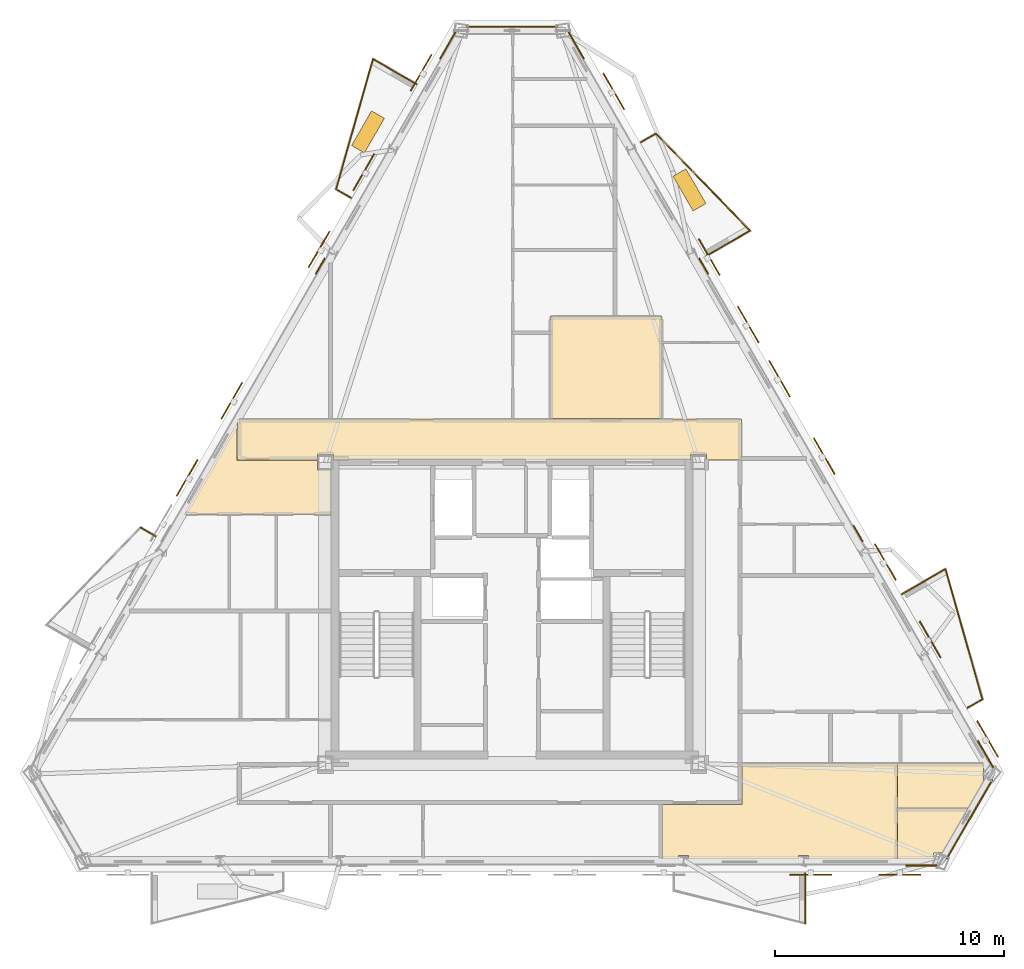
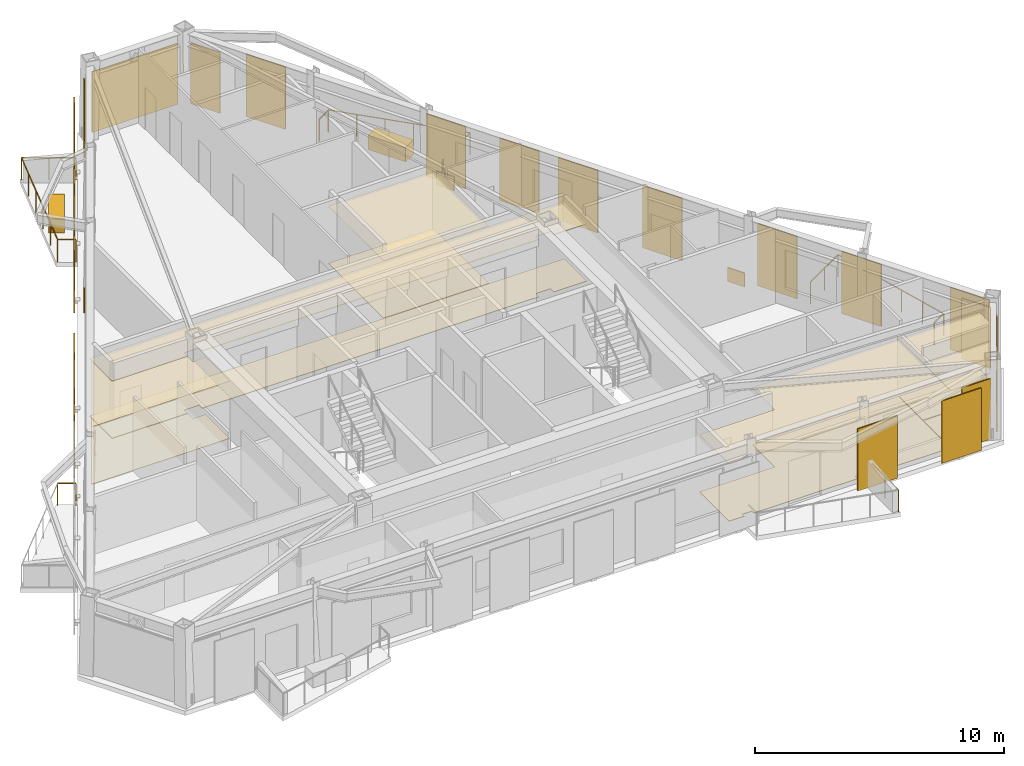
# One storey, part 9 of 9: 23 coverings, 15 shading devices, 11 railings.
"""IFC4 building model written with IfcOpenShell, lengths in metres."""

from ifc_helpers import new_model, si_unit, direction, frame, origin, origin_2d, place, context, subcontext, project, spatial, polyline, rectangle, circle, outline, extrude, material, layer, layer_set, type_object, element, save


model = new_model("IFC4")

# Units and contexts
model_context = context("Model", 3, precision=1e-05, world=origin(), true_north=direction((0.0, 1.0)))
body_context = subcontext(model_context, "Body", "Model", "MODEL_VIEW")
ifc_project = project(units=[si_unit("LENGTHUNIT", "METRE"), si_unit("AREAUNIT", "SQUARE_METRE"), si_unit("VOLUMEUNIT", "CUBIC_METRE"), si_unit("PLANEANGLEUNIT", "RADIAN"), si_unit("MASSUNIT", "GRAM", prefix="KILO")], contexts=[model_context])

# Site, building, storey
site_placement = place(None, origin())
site = spatial("IfcSite", under=ifc_project, at=site_placement, CompositionType="ELEMENT")
building_placement = place(site_placement, origin())
building = spatial("IfcBuilding", under=site, at=building_placement, Name="Oramaril Tower", CompositionType="ELEMENT")
storey_placement = place(building_placement, frame((0.0, 0.0, 281.10009765625)))
storey = spatial("IfcBuildingStorey", under=building, at=storey_placement, Name="L74", CompositionType="ELEMENT", Elevation=281.10009765625)

# Coverings
ifc_material_1 = material(Name="Mineral Fibre Acoustic Ceiling")
ifc_layer_1 = layer(ifc_material_1, 0.02001953125)
ifc_layer_set_1 = layer_set([ifc_layer_1], Name="CVT-CEIL")
covering_type_1 = type_object("IfcCoveringType", Name="CVT-CEIL", PredefinedType="CEILING", material=ifc_layer_set_1)
covering_1_placement = place(storey_placement, frame((0.0, 0.0, 2.81201171875)))
element("IfcCovering", 1, at=covering_1_placement, inside=storey, type_object=covering_type_1, Name="L74 Acoustic Suspended Ceiling 2", PredefinedType="CEILING", context=body_context, shape_type="SweptSolid", body=[
    extrude(outline(polyline([(45.9951171875, 24.239990234375), (45.9951171875, 24.4951171875), (45.304931640625, 24.4951171875), (45.304931640625, 24.25), (29.695068359375, 24.25), (29.695068359375, 24.4951171875), (29.0048828125, 24.4951171875), (29.0048828125, 24.239990234375), (25.52001953125, 24.239990234375), (25.522705078125, 26.050048828125), (47.530029296875, 26.050048828125), (47.530029296875, 24.239990234375), (45.9951171875, 24.239990234375)])), origin(), (0.0, 0.0, 1.0), 0.019775390625),
])
covering_2_placement = place(storey_placement, frame((0.0, 0.0, 2.81201171875)))
element("IfcCovering", 2, at=covering_2_placement, inside=storey, type_object=covering_type_1, Name="L74 Acoustic Suspended Ceiling 4", PredefinedType="CEILING", context=body_context, shape_type="SweptSolid", body=[
    extrude(outline(polyline([(44.0419921875, 30.511962890625), (44.0419921875, 26.070068359375), (39.157958984375, 26.070068359375), (39.157958984375, 30.511962890625), (44.0419921875, 30.511962890625)])), origin(), (0.0, 0.0, 1.0), 0.019775390625),
])
covering_3_placement = place(storey_placement, frame((0.0, 0.0, 2.81201171875)))
element("IfcCovering", 3, at=covering_3_placement, inside=storey, type_object=covering_type_1, Name="L74 Acoustic Suspended Ceiling 7", PredefinedType="CEILING", context=body_context, shape_type="SweptSolid", body=[
    extrude(outline(polyline([(54.32373046875, 10.991943359375), (54.32373046875, 6.819580078125), (50.449951171875, 6.819580078125), (50.449951171875, 6.976318359375), (50.021484375, 6.976318359375), (50.021484375, 6.819580078125), (45.20263671875, 6.819580078125), (45.20263671875, 6.976318359375), (44.780517578125, 6.976318359375), (44.780517578125, 6.819580078125), (44.06201171875, 6.819580078125), (44.06201171875, 9.199951171875), (47.530029296875, 9.199951171875), (47.531982421875, 9.2001953125), (47.533935546875, 9.200439453125), (47.535888671875, 9.200927734375), (47.53759765625, 9.201416015625), (47.539306640625, 9.202392578125), (47.541015625, 9.203369140625), (47.542724609375, 9.20458984375), (47.544189453125, 9.205810546875), (47.54541015625, 9.207275390625), (47.546630859375, 9.208984375), (47.547607421875, 9.210693359375), (47.548583984375, 9.21240234375), (47.549072265625, 9.214111328125), (47.549560546875, 9.216064453125), (47.5498046875, 9.218017578125), (47.550048828125, 9.219970703125), (47.550048828125, 10.991943359375), (54.32373046875, 10.991943359375)])), origin(), (0.0, 0.0, 1.0), 0.019775390625),
])
covering_4_placement = place(storey_placement, frame((0.0, 0.0, 2.81201171875)))
element("IfcCovering", 4, at=covering_4_placement, inside=storey, type_object=covering_type_1, Name="L74 Acoustic Suspended Ceiling 8", PredefinedType="CEILING", context=body_context, shape_type="SweptSolid", body=[
    extrude(outline(polyline([(56.311279296875, 7.089599609375), (55.897705078125, 7.089599609375), (55.897705078125, 6.819580078125), (54.34375, 6.819580078125), (54.34375, 9.03076171875), (57.431884765625, 9.03076171875), (56.311279296875, 7.089599609375)])), origin(), (0.0, 0.0, 1.0), 0.019775390625),
])
covering_5_placement = place(storey_placement, frame((0.0, 0.0, 2.81201171875)))
element("IfcCovering", 5, at=covering_5_placement, inside=storey, type_object=covering_type_1, Name="L74 Acoustic Suspended Ceiling 9", PredefinedType="CEILING", context=body_context, shape_type="SweptSolid", body=[
    extrude(outline(polyline([(58.14404296875, 10.904296875), (58.094482421875, 10.904296875), (58.094482421875, 10.215576171875), (58.115966796875, 10.215576171875), (57.44189453125, 9.048095703125), (57.44140625, 9.04833984375), (57.439697265625, 9.04931640625), (57.43798828125, 9.0498046875), (57.435791015625, 9.05029296875), (57.43408203125, 9.05078125), (57.431884765625, 9.05078125), (54.34375, 9.05078125), (54.34375, 10.991943359375), (58.093505859375, 10.991943359375), (58.14404296875, 10.904296875)])), origin(), (0.0, 0.0, 1.0), 0.019775390625),
])
covering_6_placement = place(storey_placement, frame((0.0, 0.0, 2.81201171875)))
element("IfcCovering", 6, at=covering_6_placement, inside=storey, type_object=covering_type_1, Name="L74 Acoustic Suspended Ceiling 14", PredefinedType="CEILING", context=body_context, shape_type="SweptSolid", body=[
    extrude(outline(polyline([(29.0048828125, 23.804931640625), (29.60009765625, 23.804931640625), (29.60009765625, 21.866455078125), (23.18505859375, 21.866455078125), (25.502685546875, 25.880615234375), (25.5, 24.239990234375), (25.5, 24.238037109375), (25.500244140625, 24.236083984375), (25.500732421875, 24.234130859375), (25.50146484375, 24.232421875), (25.502197265625, 24.230712890625), (25.503173828125, 24.22900390625), (25.50439453125, 24.227294921875), (25.505615234375, 24.225830078125), (25.507080078125, 24.224609375), (25.5087890625, 24.223388671875), (25.510498046875, 24.222412109375), (25.51220703125, 24.221435546875), (25.51416015625, 24.220947265625), (25.51611328125, 24.220458984375), (25.517822265625, 24.22021484375), (25.52001953125, 24.219970703125), (29.0048828125, 24.219970703125), (29.0048828125, 23.804931640625)])), origin(), (0.0, 0.0, 1.0), 0.019775390625),
])
ifc_material_2 = material(Name="Warm Cream Limestone", Category="masonry")
ifc_layer_2 = layer(ifc_material_2, 0.050048828125)
ifc_layer_set_2 = layer_set([ifc_layer_2], Name="CVT-CLD")
covering_type_2 = type_object("IfcCoveringType", Name="CVT-CLD", PredefinedType="CLADDING", material=ifc_layer_set_2)
covering_7_placement = place(storey_placement, frame((55.36767578125, 6.543701171875, 0.039794921875), z_axis=(0.0, 0.0, 1.0), x_axis=(1.0, 0.0, 0.0)))
element("IfcCovering", 7, at=covering_7_placement, inside=storey, type_object=covering_type_2, Name="L74 Warm Cream Limestone Cladding", PredefinedType="CLADDING", context=body_context, shape_type="SweptSolid", body=[
    extrude(rectangle(XDim=1.35009765625, YDim=0.050048828125, at=origin_2d()), origin(), (0.0, 0.0, 1.0), 2.97802734375),
])
covering_8_placement = place(storey_placement, frame((57.481201171875, 8.56396484375, 0.039794921875), z_axis=(0.0, 0.0, 1.0), x_axis=(0.499992442484, 0.866029767075, 0.0)))
element("IfcCovering", 8, at=covering_8_placement, inside=storey, type_object=covering_type_2, Name="L74 Warm Cream Limestone Cladding", PredefinedType="CLADDING", context=body_context, shape_type="SweptSolid", body=[
    extrude(rectangle(XDim=3.9716796875, YDim=0.050048828125, at=origin_2d()), origin(), (0.0, 0.0, 1.0), 2.97802734375),
])
for number, where, z_axis, x_axis, name in (
    (9, (58.174072265625, 11.404296875, 0.039794921875), (0.0, 0.0, 1.0), (-0.5, 0.866025403784, 0.0), "L74 Warm Cream Limestone Cladding"),
    (10, (40.306396484375, 42.35205078125, 0.039794921875), (0.0, 0.0, 1.0), (-0.5, 0.866025403784, 0.0), "L74 Warm Cream Limestone Cladding"),
):
    element("IfcCovering", number, at=place(storey_placement, frame(where, z_axis=z_axis, x_axis=x_axis)), inside=storey, type_object=covering_type_2, Name=name, PredefinedType="CLADDING", context=body_context, shape_type="SweptSolid", body=[
        extrude(rectangle(XDim=1.35009765625, YDim=0.050048828125, at=origin_2d()), origin(), (0.0, 0.0, 1.0), 2.97802734375),
    ])
for number, where, z_axis, x_axis, name in (
    (11, (52.609375, 21.04248046875, 0.0400390625), (0.0, 0.0, 1.0), (-0.5, 0.866025403784, 0.0), "L74 Warm Cream Limestone Spandrel Cladding"),
    (12, (45.87109375, 32.7138671875, 0.0400390625), (0.0, 0.0, 1.0), (-0.5, 0.866025403784, 0.0), "L74 Warm Cream Limestone Spandrel Cladding"),
):
    element("IfcCovering", number, at=place(storey_placement, frame(where, z_axis=z_axis, x_axis=x_axis)), inside=storey, type_object=covering_type_2, Name=name, PredefinedType="CLADDING", context=body_context, shape_type="SweptSolid", body=[
        extrude(rectangle(XDim=0.800048828125, YDim=0.050048828125, at=origin_2d()), origin(), (0.0, 0.0, 1.0), 0.679931640625),
    ])
covering_9_placement = place(storey_placement, frame((37.5, 43.172119140625, 0.039794921875), z_axis=(0.0, 0.0, 1.0), x_axis=(-1.0, 0.0, 0.0)))
element("IfcCovering", 13, at=covering_9_placement, inside=storey, type_object=covering_type_2, Name="L74 Warm Cream Limestone Cladding", PredefinedType="CLADDING", context=body_context, shape_type="SweptSolid", body=[
    extrude(rectangle(XDim=3.9716796875, YDim=0.050048828125, at=origin_2d()), origin(), (0.0, 0.0, 1.0), 2.97802734375),
])
covering_10_placement = place(storey_placement, frame((34.693603515625, 42.35205078125, 0.039794921875), z_axis=(0.0, 0.0, 1.0), x_axis=(-0.5, -0.866025403784, 0.0)))
element("IfcCovering", 14, at=covering_10_placement, inside=storey, type_object=covering_type_2, Name="L74 Warm Cream Limestone Cladding", PredefinedType="CLADDING", context=body_context, shape_type="SweptSolid", body=[
    extrude(rectangle(XDim=1.35009765625, YDim=0.050048828125, at=origin_2d()), origin(), (0.0, 0.0, 1.0), 2.97802734375),
])
covering_11_placement = place(storey_placement, frame((29.12890625, 32.7138671875, 0.0400390625), z_axis=(0.0, 0.0, 1.0), x_axis=(-0.5, -0.866025403784, 0.0)))
element("IfcCovering", 15, at=covering_11_placement, inside=storey, type_object=covering_type_2, Name="L74 Warm Cream Limestone Spandrel Cladding", PredefinedType="CLADDING", context=body_context, shape_type="SweptSolid", body=[
    extrude(rectangle(XDim=0.800048828125, YDim=0.050048828125, at=origin_2d()), origin(), (0.0, 0.0, 1.0), 0.679931640625),
])
for number, where, z_axis, x_axis, name in (
    (16, (45.2509765625, 36.044921875, 0.0), (0.0, 0.0, 1.0), (-0.5, 0.866025403784, 0.0), "L74 Structural Tree Planter Box L74-BAL-NE2"),
    (17, (31.211669921875, 38.577880859375, 0.0), (0.0, 0.0, 1.0), (-0.5, -0.866025403784, 0.0), "L74 Structural Tree Planter Box L74-BAL-NW1"),
):
    element("IfcCovering", number, at=place(storey_placement, frame(where, z_axis=z_axis, x_axis=x_axis)), inside=storey, type_object=covering_type_2, Name=name, PredefinedType="CLADDING", context=body_context, shape_type="SweptSolid", body=[
        extrude(rectangle(XDim=1.75, YDim=0.64990234375, at=origin_2d()), origin(), (0.0, 0.0, 1.0), 0.699951171875),
    ])
ifc_material_3 = material(Name="Honed Quartzite Stone Flooring", Category="masonry")
ifc_layer_3 = layer(ifc_material_3, 0.02490234375)
ifc_layer_set_3 = layer_set([ifc_layer_3], Name="CVT-FLR")
covering_type_3 = type_object("IfcCoveringType", Name="CVT-FLR", PredefinedType="FLOORING", material=ifc_layer_set_3)
covering_12_placement = place(storey_placement, origin())
element("IfcCovering", 18, at=covering_12_placement, inside=storey, type_object=covering_type_3, Name="L74 Honed Stone Floor Finish 2", PredefinedType="FLOORING", context=body_context, shape_type="SweptSolid", body=[
    extrude(outline(polyline([(45.9951171875, 24.239990234375), (45.9951171875, 24.4951171875), (45.304931640625, 24.4951171875), (45.304931640625, 24.25), (29.695068359375, 24.25), (29.695068359375, 24.4951171875), (29.0048828125, 24.4951171875), (29.0048828125, 24.239990234375), (25.52001953125, 24.239990234375), (25.522705078125, 26.050048828125), (47.530029296875, 26.050048828125), (47.530029296875, 24.239990234375), (45.9951171875, 24.239990234375)])), origin(), (0.0, 0.0, 1.0), 0.02490234375),
])
covering_13_placement = place(storey_placement, origin())
element("IfcCovering", 19, at=covering_13_placement, inside=storey, type_object=covering_type_3, Name="L74 Honed Stone Floor Finish 4", PredefinedType="FLOORING", context=body_context, shape_type="SweptSolid", body=[
    extrude(outline(polyline([(44.0419921875, 30.511962890625), (44.0419921875, 26.070068359375), (39.157958984375, 26.070068359375), (39.157958984375, 30.511962890625), (44.0419921875, 30.511962890625)])), origin(), (0.0, 0.0, 1.0), 0.02490234375),
])
covering_14_placement = place(storey_placement, origin())
element("IfcCovering", 20, at=covering_14_placement, inside=storey, type_object=covering_type_3, Name="L74 Honed Stone Floor Finish 7", PredefinedType="FLOORING", context=body_context, shape_type="SweptSolid", body=[
    extrude(outline(polyline([(54.32373046875, 10.991943359375), (54.32373046875, 6.819580078125), (50.449951171875, 6.819580078125), (50.449951171875, 6.976318359375), (50.021484375, 6.976318359375), (50.021484375, 6.819580078125), (45.20263671875, 6.819580078125), (45.20263671875, 6.976318359375), (44.780517578125, 6.976318359375), (44.780517578125, 6.819580078125), (44.06201171875, 6.819580078125), (44.06201171875, 9.199951171875), (47.530029296875, 9.199951171875), (47.531982421875, 9.2001953125), (47.533935546875, 9.200439453125), (47.535888671875, 9.200927734375), (47.53759765625, 9.201416015625), (47.539306640625, 9.202392578125), (47.541015625, 9.203369140625), (47.542724609375, 9.20458984375), (47.544189453125, 9.205810546875), (47.54541015625, 9.207275390625), (47.546630859375, 9.208984375), (47.547607421875, 9.210693359375), (47.548583984375, 9.21240234375), (47.549072265625, 9.214111328125), (47.549560546875, 9.216064453125), (47.5498046875, 9.218017578125), (47.550048828125, 9.219970703125), (47.550048828125, 10.991943359375), (54.32373046875, 10.991943359375)])), origin(), (0.0, 0.0, 1.0), 0.02490234375),
])
covering_15_placement = place(storey_placement, origin())
element("IfcCovering", 21, at=covering_15_placement, inside=storey, type_object=covering_type_3, Name="L74 Honed Stone Floor Finish 8", PredefinedType="FLOORING", context=body_context, shape_type="SweptSolid", body=[
    extrude(outline(polyline([(56.311279296875, 7.089599609375), (55.897705078125, 7.089599609375), (55.897705078125, 6.819580078125), (54.34375, 6.819580078125), (54.34375, 9.03076171875), (57.431884765625, 9.03076171875), (56.311279296875, 7.089599609375)])), origin(), (0.0, 0.0, 1.0), 0.02490234375),
])
covering_16_placement = place(storey_placement, origin())
element("IfcCovering", 22, at=covering_16_placement, inside=storey, type_object=covering_type_3, Name="L74 Honed Stone Floor Finish 9", PredefinedType="FLOORING", context=body_context, shape_type="SweptSolid", body=[
    extrude(outline(polyline([(58.14404296875, 10.904296875), (58.094482421875, 10.904296875), (58.094482421875, 10.215576171875), (58.115966796875, 10.215576171875), (57.44189453125, 9.048095703125), (57.44140625, 9.04833984375), (57.439697265625, 9.04931640625), (57.43798828125, 9.0498046875), (57.435791015625, 9.05029296875), (57.43408203125, 9.05078125), (57.431884765625, 9.05078125), (54.34375, 9.05078125), (54.34375, 10.991943359375), (58.093505859375, 10.991943359375), (58.14404296875, 10.904296875)])), origin(), (0.0, 0.0, 1.0), 0.02490234375),
])
covering_17_placement = place(storey_placement, origin())
element("IfcCovering", 23, at=covering_17_placement, inside=storey, type_object=covering_type_3, Name="L74 Honed Stone Floor Finish 14", PredefinedType="FLOORING", context=body_context, shape_type="SweptSolid", body=[
    extrude(outline(polyline([(29.0048828125, 23.804931640625), (29.60009765625, 23.804931640625), (29.60009765625, 21.866455078125), (23.18505859375, 21.866455078125), (25.502685546875, 25.880615234375), (25.5, 24.239990234375), (25.5, 24.238037109375), (25.500244140625, 24.236083984375), (25.500732421875, 24.234130859375), (25.50146484375, 24.232421875), (25.502197265625, 24.230712890625), (25.503173828125, 24.22900390625), (25.50439453125, 24.227294921875), (25.505615234375, 24.225830078125), (25.507080078125, 24.224609375), (25.5087890625, 24.223388671875), (25.510498046875, 24.222412109375), (25.51220703125, 24.221435546875), (25.51416015625, 24.220947265625), (25.51611328125, 24.220458984375), (25.517822265625, 24.22021484375), (25.52001953125, 24.219970703125), (29.0048828125, 24.219970703125), (29.0048828125, 23.804931640625)])), origin(), (0.0, 0.0, 1.0), 0.02490234375),
])

# Railings
ifc_material_4 = material(Name="Stainless Steel 316L", Category="steel")
railing_type = type_object("IfcRailingType", Name="RLT-GRD", PredefinedType="GUARDRAIL", material=ifc_material_4)
railing_1_placement = place(storey_placement, frame((50.29833984375, 6.20361328125, 0.0)))
element("IfcRailing", 24, at=railing_1_placement, inside=storey, type_object=railing_type, Name="L74 Balcony Guardrail L74-BAL-S2.1", PredefinedType="GUARDRAIL", context=body_context, shape_type="SweptSolid", body=[
    extrude(circle(Radius=0.02392578125, at=origin_2d()), frame((0.0, 0.0, 1.076171875), z_axis=(0.0, -1.0, 0.0), x_axis=(1.0, 0.0, 0.0)), (0.0, 0.0, 1.0), 2.19189453125),
    extrude(circle(Radius=0.02099609375, at=origin_2d()), origin(), (0.0, 0.0, 1.0), 1.052001953125),
    extrude(circle(Radius=0.02099609375, at=origin_2d()), frame((0.0, -1.095947265625, 0.0)), (0.0, 0.0, 1.0), 1.052001953125),
    extrude(circle(Radius=0.02099609375, at=origin_2d()), frame((0.0, -2.19189453125, 0.0)), (0.0, 0.0, 1.0), 1.052001953125),
])
railing_2_placement = place(storey_placement, frame((54.53125, 18.393798828125, 0.0)))
element("IfcRailing", 25, at=railing_2_placement, inside=storey, type_object=railing_type, Name="L74 Balcony Guardrail L74-BAL-NE1.1", PredefinedType="GUARDRAIL", context=body_context, shape_type="SweptSolid", body=[
    extrude(circle(Radius=0.02392578125, at=origin_2d()), frame((0.0, 0.0, 1.076171875), z_axis=(0.866048343933, 0.499960264392, 0.0), x_axis=(-0.499960264392, 0.866048343933, 0.0)), (0.0, 0.0, 1.0), 2.192138671875),
    extrude(circle(Radius=0.02099609375, at=origin_2d()), origin(), (0.0, 0.0, 1.0), 1.052001953125),
    extrude(circle(Radius=0.02099609375, at=origin_2d()), frame((0.94921875, 0.5478515625, 0.0)), (0.0, 0.0, 1.0), 1.052001953125),
    extrude(circle(Radius=0.02099609375, at=origin_2d()), frame((1.8984375, 1.095947265625, 0.0)), (0.0, 0.0, 1.0), 1.052001953125),
])
railing_3_placement = place(storey_placement, frame((56.4296875, 19.48974609375, 0.0)))
element("IfcRailing", 26, at=railing_3_placement, inside=storey, type_object=railing_type, Name="L74 Balcony Guardrail L74-BAL-NE1.2", PredefinedType="GUARDRAIL", context=body_context, shape_type="SweptSolid", body=[
    extrude(circle(Radius=0.02392578125, at=origin_2d()), frame((0.0, 0.0, 1.076171875), z_axis=(0.27224886544, -0.962226873074, 0.0), x_axis=(0.962226873074, 0.27224886544, 0.0)), (0.0, 0.0, 1.0), 5.910400390625),
    extrude(circle(Radius=0.02099609375, at=origin_2d()), origin(), (0.0, 0.0, 1.0), 1.052001953125),
    extrude(circle(Radius=0.02099609375, at=origin_2d()), frame((0.32177734375, -1.137451171875, 0.0)), (0.0, 0.0, 1.0), 1.052001953125),
    extrude(circle(Radius=0.02099609375, at=origin_2d()), frame((0.6435546875, -2.27490234375, 0.0)), (0.0, 0.0, 1.0), 1.052001953125),
    extrude(circle(Radius=0.02099609375, at=origin_2d()), frame((0.965576171875, -3.412353515625, 0.0)), (0.0, 0.0, 1.0), 1.052001953125),
    extrude(circle(Radius=0.02099609375, at=origin_2d()), frame((1.287353515625, -4.5498046875, 0.0)), (0.0, 0.0, 1.0), 1.052001953125),
    extrude(circle(Radius=0.02099609375, at=origin_2d()), frame((1.609130859375, -5.687255859375, 0.0)), (0.0, 0.0, 1.0), 1.052001953125),
])
railing_4_placement = place(storey_placement, frame((58.038818359375, 13.802490234375, 0.0)))
element("IfcRailing", 27, at=railing_4_placement, inside=storey, type_object=railing_type, Name="L74 Balcony Guardrail L74-BAL-NE1.3", PredefinedType="GUARDRAIL", context=body_context, shape_type="SweptSolid", body=[
    extrude(circle(Radius=0.02392578125, at=origin_2d()), frame((0.0, 0.0, 1.076171875), z_axis=(-0.865966403178, -0.500102178127, 0.0), x_axis=(0.500102178127, -0.865966403178, 0.0)), (0.0, 0.0, 1.0), 0.741943359375),
    extrude(circle(Radius=0.02099609375, at=origin_2d()), origin(), (0.0, 0.0, 1.0), 1.052001953125),
    extrude(circle(Radius=0.02099609375, at=origin_2d()), frame((-0.642578125, -0.37109375, 0.0)), (0.0, 0.0, 1.0), 1.052001953125),
])
railing_5_placement = place(storey_placement, frame((43.135498046875, 38.1318359375, 0.0)))
element("IfcRailing", 28, at=railing_5_placement, inside=storey, type_object=railing_type, Name="L74 Balcony Guardrail L74-BAL-NE2.1", PredefinedType="GUARDRAIL", context=body_context, shape_type="SweptSolid", body=[
    extrude(circle(Radius=0.02392578125, at=origin_2d()), frame((0.0, 0.0, 1.076171875), z_axis=(0.866108878364, 0.499855389907, 0.0), x_axis=(-0.499855389907, 0.866108878364, 0.0)), (0.0, 0.0, 1.0), 0.741943359375),
    extrude(circle(Radius=0.02099609375, at=origin_2d()), origin(), (0.0, 0.0, 1.0), 1.052001953125),
    extrude(circle(Radius=0.02099609375, at=origin_2d()), frame((0.642578125, 0.370849609375, 0.0)), (0.0, 0.0, 1.0), 1.052001953125),
])
railing_6_placement = place(storey_placement, frame((43.778076171875, 38.502685546875, 0.0)))
element("IfcRailing", 29, at=railing_6_placement, inside=storey, type_object=railing_type, Name="L74 Balcony Guardrail L74-BAL-NE2.2", PredefinedType="GUARDRAIL", context=body_context, shape_type="SweptSolid", body=[
    extrude(circle(Radius=0.02392578125, at=origin_2d()), frame((0.0, 0.0, 1.076171875), z_axis=(0.697165686546, -0.716910040034, 0.0), x_axis=(0.716910040034, 0.697165686546, 0.0)), (0.0, 0.0, 1.0), 5.910400390625),
    extrude(circle(Radius=0.02099609375, at=origin_2d()), origin(), (0.0, 0.0, 1.0), 1.052001953125),
    extrude(circle(Radius=0.02099609375, at=origin_2d()), frame((0.82421875, -0.847412109375, 0.0)), (0.0, 0.0, 1.0), 1.052001953125),
    extrude(circle(Radius=0.02099609375, at=origin_2d()), frame((1.648193359375, -1.69482421875, 0.0)), (0.0, 0.0, 1.0), 1.052001953125),
    extrude(circle(Radius=0.02099609375, at=origin_2d()), frame((2.472412109375, -2.54248046875, 0.0)), (0.0, 0.0, 1.0), 1.052001953125),
    extrude(circle(Radius=0.02099609375, at=origin_2d()), frame((3.29638671875, -3.389892578125, 0.0)), (0.0, 0.0, 1.0), 1.052001953125),
    extrude(circle(Radius=0.02099609375, at=origin_2d()), frame((4.12060546875, -4.2373046875, 0.0)), (0.0, 0.0, 1.0), 1.052001953125),
])
railing_7_placement = place(storey_placement, frame((47.898681640625, 34.265380859375, 0.0)))
element("IfcRailing", 30, at=railing_7_placement, inside=storey, type_object=railing_type, Name="L74 Balcony Guardrail L74-BAL-NE2.3", PredefinedType="GUARDRAIL", context=body_context, shape_type="SweptSolid", body=[
    extrude(circle(Radius=0.02392578125, at=origin_2d()), frame((0.0, 0.0, 1.076171875), z_axis=(-0.866020500697, -0.5000084923, 0.0), x_axis=(0.5000084923, -0.866020500697, 0.0)), (0.0, 0.0, 1.0), 2.19189453125),
    extrude(circle(Radius=0.02099609375, at=origin_2d()), origin(), (0.0, 0.0, 1.0), 1.052001953125),
    extrude(circle(Radius=0.02099609375, at=origin_2d()), frame((-0.94921875, -0.5478515625, 0.0)), (0.0, 0.0, 1.0), 1.052001953125),
    extrude(circle(Radius=0.02099609375, at=origin_2d()), frame((-1.898193359375, -1.095947265625, 0.0)), (0.0, 0.0, 1.0), 1.052001953125),
])
railing_8_placement = place(storey_placement, frame((30.4619140625, 35.70263671875, 0.0)))
element("IfcRailing", 31, at=railing_8_placement, inside=storey, type_object=railing_type, Name="L74 Balcony Guardrail L74-BAL-NW1.1", PredefinedType="GUARDRAIL", context=body_context, shape_type="SweptSolid", body=[
    extrude(circle(Radius=0.02392578125, at=origin_2d()), frame((0.0, 0.0, 1.076171875), z_axis=(-0.865884080729, 0.500244698863, 0.0), x_axis=(-0.500244698863, -0.865884080729, 0.0)), (0.0, 0.0, 1.0), 0.741943359375),
    extrude(circle(Radius=0.02099609375, at=origin_2d()), origin(), (0.0, 0.0, 1.0), 1.052001953125),
    extrude(circle(Radius=0.02099609375, at=origin_2d()), frame((-0.642333984375, 0.37109375, 0.0)), (0.0, 0.0, 1.0), 1.052001953125),
])
railing_9_placement = place(storey_placement, frame((29.819580078125, 36.07373046875, 0.0)))
element("IfcRailing", 32, at=railing_9_placement, inside=storey, type_object=railing_type, Name="L74 Balcony Guardrail L74-BAL-NW1.2", PredefinedType="GUARDRAIL", context=body_context, shape_type="SweptSolid", body=[
    extrude(circle(Radius=0.02392578125, at=origin_2d()), frame((0.0, 0.0, 1.076171875), z_axis=(0.27224886544, 0.962226873074, 0.0), x_axis=(-0.962226873074, 0.27224886544, 0.0)), (0.0, 0.0, 1.0), 5.910400390625),
    extrude(circle(Radius=0.02099609375, at=origin_2d()), origin(), (0.0, 0.0, 1.0), 1.052001953125),
    extrude(circle(Radius=0.02099609375, at=origin_2d()), frame((0.32177734375, 1.137451171875, 0.0)), (0.0, 0.0, 1.0), 1.052001953125),
    extrude(circle(Radius=0.02099609375, at=origin_2d()), frame((0.6435546875, 2.27490234375, 0.0)), (0.0, 0.0, 1.0), 1.052001953125),
    extrude(circle(Radius=0.02099609375, at=origin_2d()), frame((0.965576171875, 3.412353515625, 0.0)), (0.0, 0.0, 1.0), 1.052001953125),
    extrude(circle(Radius=0.02099609375, at=origin_2d()), frame((1.287353515625, 4.5498046875, 0.0)), (0.0, 0.0, 1.0), 1.052001953125),
    extrude(circle(Radius=0.02099609375, at=origin_2d()), frame((1.609130859375, 5.687255859375, 0.0)), (0.0, 0.0, 1.0), 1.052001953125),
])
railing_10_placement = place(storey_placement, frame((31.4287109375, 41.760986328125, 0.0)))
element("IfcRailing", 33, at=railing_10_placement, inside=storey, type_object=railing_type, Name="L74 Balcony Guardrail L74-BAL-NW1.3", PredefinedType="GUARDRAIL", context=body_context, shape_type="SweptSolid", body=[
    extrude(circle(Radius=0.02392578125, at=origin_2d()), frame((0.0, 0.0, 1.076171875), z_axis=(0.865972267571, -0.50009202333, 0.0), x_axis=(0.50009202333, 0.865972267571, 0.0)), (0.0, 0.0, 1.0), 2.19189453125),
    extrude(circle(Radius=0.02099609375, at=origin_2d()), origin(), (0.0, 0.0, 1.0), 1.052001953125),
    extrude(circle(Radius=0.02099609375, at=origin_2d()), frame((0.94921875, -0.548095703125, 0.0)), (0.0, 0.0, 1.0), 1.052001953125),
    extrude(circle(Radius=0.02099609375, at=origin_2d()), frame((1.898193359375, -1.09619140625, 0.0)), (0.0, 0.0, 1.0), 1.052001953125),
])
railing_11_placement = place(storey_placement, frame((21.288818359375, 21.2978515625, 0.0)))
element("IfcRailing", 34, at=railing_11_placement, inside=storey, type_object=railing_type, Name="L74 Balcony Guardrail L74-BAL-NW2.3", PredefinedType="GUARDRAIL", context=body_context, shape_type="SweptSolid", body=[
    extrude(circle(Radius=0.02392578125, at=origin_2d()), frame((0.0, 0.0, 1.076171875), z_axis=(0.866026623601, -0.49999788721, 0.0), x_axis=(0.49999788721, 0.866026623601, 0.0)), (0.0, 0.0, 1.0), 0.74169921875),
    extrude(circle(Radius=0.02099609375, at=origin_2d()), origin(), (0.0, 0.0, 1.0), 1.052001953125),
    extrude(circle(Radius=0.02099609375, at=origin_2d()), frame((0.642333984375, -0.370849609375, 0.0)), (0.0, 0.0, 1.0), 1.052001953125),
])

# Shading devices
for number, where, z_axis, x_axis, name in (
    (35, (50.537353515625, 6.131591796875, -0.020263671875), (0.0, 0.0, 1.0), (1.0, 0.0, 0.0), "L74 Perforated Ceramic Solar Screen"),
    (36, (54.4375, 6.131591796875, -0.020263671875), (0.0, 0.0, 1.0), (1.0, 0.0, 0.0), "L74 Perforated Ceramic Solar Screen"),
    (37, (58.264892578125, 12.07080078125, -0.020263671875), (0.0, 0.0, 1.0), (-0.5, 0.866025403784, 0.0), "L74 Perforated Ceramic Solar Screen"),
    (38, (55.756103515625, 16.416015625, -0.020263671875), (0.0, 0.0, 1.0), (-0.5, 0.866025403784, 0.0), "L74 Perforated Ceramic Solar Screen"),
    (39, (53.80615234375, 19.79345703125, -0.020263671875), (0.0, 0.0, 1.0), (-0.5, 0.866025403784, 0.0), "L74 Perforated Ceramic Solar Screen"),
    (40, (41.94091796875, 40.344970703125, -0.020263671875), (0.0, 0.0, 1.0), (-0.5, 0.866025403784, 0.0), "L74 Perforated Ceramic Solar Screen"),
    (41, (51.1337890625, 24.42236328125, -0.020263671875), (0.0, 0.0, 1.0), (-0.5, 0.866025403784, 0.0), "L74 Perforated Ceramic Solar Screen"),
    (42, (49.183837890625, 27.7998046875, -0.020263671875), (0.0, 0.0, 1.0), (-0.5, 0.866025403784, 0.0), "L74 Perforated Ceramic Solar Screen"),
    (43, (47.819580078125, 30.16259765625, -0.020263671875), (0.0, 0.0, 1.0), (-0.5, 0.866025403784, 0.0), "L74 Perforated Ceramic Solar Screen"),
    (44, (46.117919921875, 33.110107421875, -0.020263671875), (0.0, 0.0, 1.0), (-0.5, 0.866025403784, 0.0), "L74 Perforated Ceramic Solar Screen"),
    (45, (25.26416015625, 26.84375, -0.020263671875), (0.0, 0.0, 1.0), (-0.5, -0.866025403784, 0.0), "L74 Perforated Ceramic Solar Screen"),
    (46, (23.314208984375, 23.46630859375, -0.020263671875), (0.0, 0.0, 1.0), (-0.5, -0.866025403784, 0.0), "L74 Perforated Ceramic Solar Screen"),
    (47, (33.531005859375, 41.162353515625, -0.020263671875), (0.0, 0.0, 1.0), (-0.5, -0.866025403784, 0.0), "L74 Perforated Ceramic Solar Screen"),
    (48, (31.024169921875, 36.8203125, -0.020263671875), (0.0, 0.0, 1.0), (-0.5, -0.866025403784, 0.0), "L74 Perforated Ceramic Solar Screen"),
    (49, (29.07421875, 33.44287109375, -0.020263671875), (0.0, 0.0, 1.0), (-0.5, -0.866025403784, 0.0), "L74 Perforated Ceramic Solar Screen"),
):
    element("IfcShadingDevice", number, at=place(storey_placement, frame(where, z_axis=z_axis, x_axis=x_axis)), inside=storey, Name=name, ObjectType="SCREEN", PredefinedType="USERDEFINED", context=body_context, shape_type="SweptSolid", body=[
        extrude(rectangle(XDim=1.8330078125, YDim=0.050048828125, at=origin_2d()), origin(), (0.0, 0.0, 1.0), 3.05810546875),
    ])

save(model, "model.ifc")
